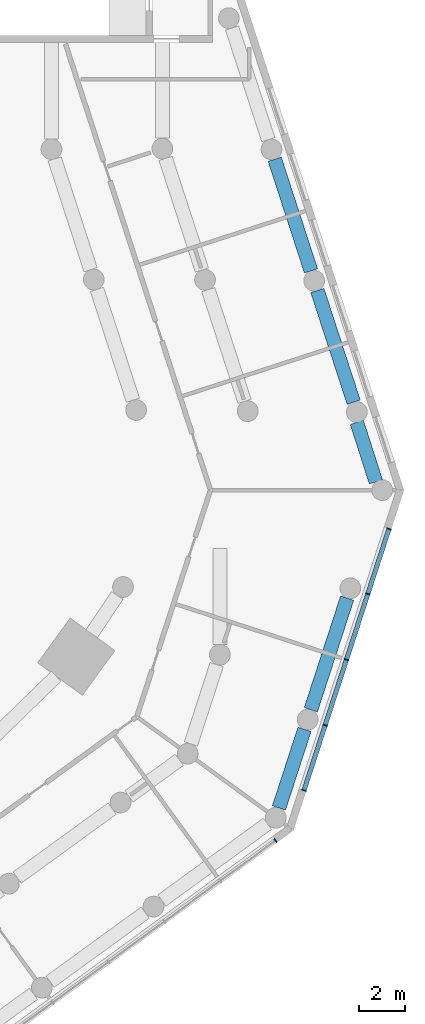
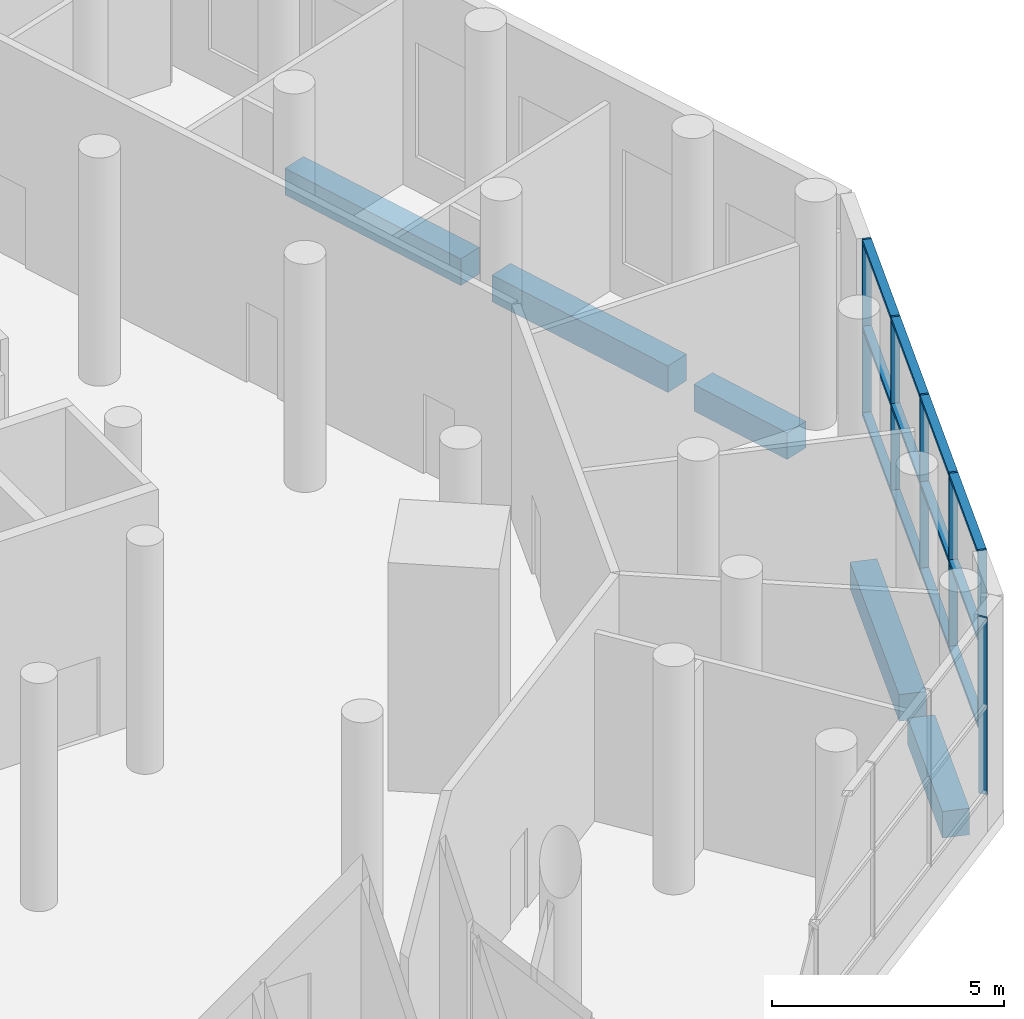
# One storey, part 7 of 19: 18 members, 5 beams, 2 elements without a shape of their own.
"""IFC4 building model written with IfcOpenShell, lengths in metres."""

from ifc_helpers import new_model, si_unit, direction, frame, origin, origin_2d, place, context, subcontext, project, spatial, rectangle, extrude, material, material_profile, profile_set, type_object, element, aggregate, save


model = new_model("IFC4")

# Units and contexts
model_context = context("Model", 3, precision=1e-05, world=origin(), true_north=direction((0.0, 1.0)))
body_context = subcontext(model_context, "Body", "Model", "MODEL_VIEW")
ifc_project = project(units=[si_unit("LENGTHUNIT", "METRE"), si_unit("AREAUNIT", "SQUARE_METRE"), si_unit("VOLUMEUNIT", "CUBIC_METRE"), si_unit("PLANEANGLEUNIT", "RADIAN"), si_unit("MASSUNIT", "GRAM", prefix="KILO")], contexts=[model_context])

# Site, building, storey
site_placement = place(None, origin())
site = spatial("IfcSite", under=ifc_project, at=site_placement, CompositionType="ELEMENT")
building_placement = place(site_placement, origin())
building = spatial("IfcBuilding", under=site, at=building_placement, Name="White Candle Pilgrim Tower", CompositionType="ELEMENT")
storey_placement = place(building_placement, frame((0.0, 0.0, 23.0)))
storey = spatial("IfcBuildingStorey", under=building, at=storey_placement, Name="L03", CompositionType="ELEMENT", Elevation=23.0)

# Curtain wall, member
ifc_material_1 = material(Name="Aluminium and glass", Category="aluminium")
curtain_wall_type = type_object("IfcCurtainWallType", Name="Curtain wall CW2 prayer hall clerestory", PredefinedType="NOTDEFINED", material=ifc_material_1)
curtain_wall_1_placement = place(storey_placement, origin())
curtain_wall_1 = element("IfcCurtainWall", 1, at=curtain_wall_1_placement, inside=storey, type_object=curtain_wall_type, Name="Curtain wall CW2 L03 SE", PredefinedType="NOTDEFINED")
ifc_material_2 = material(Name="Aluminium", Category="aluminium")
ifc_material_profile_1 = material_profile(ifc_material_2, rectangle(XDim=0.199951171875, YDim=0.050048828125, at=origin_2d()), Name="CW2 mullion 50x200")
ifc_profile_set_1 = profile_set([ifc_material_profile_1], Name="Aluminium")
member_type_1 = type_object("IfcMemberType", Name="CW2 mullion 50x200", PredefinedType="MULLION", material=ifc_profile_set_1)
member_1_placement = place(storey_placement, frame((100.23974609375, 45.3037109375, 1.0), z_axis=(0.0, 0.0, 1.0), x_axis=(-0.587785249384, 0.809016996488, 0.0)))
member_1 = element("IfcMember", 2, at=member_1_placement, type_object=member_type_1, Name="CW2 mullion 10", PredefinedType="MULLION", context=body_context, shape_type="SweptSolid", body=[
    extrude(rectangle(XDim=0.199951171875, YDim=0.050048828125, at=origin_2d()), origin(), (0.0, 0.0, 1.0), 4.64990234375),
])
aggregate(curtain_wall_1, [member_1])

# Curtain wall, members
curtain_wall_2_placement = place(storey_placement, origin())
curtain_wall_2 = element("IfcCurtainWall", 3, at=curtain_wall_2_placement, inside=storey, type_object=curtain_wall_type, Name="Curtain wall CW2 L03 E chamfer", PredefinedType="NOTDEFINED")
member_2_placement = place(storey_placement, frame((101.4775390625, 47.48974609375, 1.0), z_axis=(0.0, 0.0, 1.0), x_axis=(-0.951056514445, 0.309017000068, 0.0)))
member_2 = element("IfcMember", 4, at=member_2_placement, type_object=member_type_1, Name="CW2 mullion 1", PredefinedType="MULLION", context=body_context, shape_type="SweptSolid", body=[
    extrude(rectangle(XDim=0.199951171875, YDim=0.050048828125, at=origin_2d()), origin(), (0.0, 0.0, 1.0), 4.64990234375),
])
member_3_placement = place(storey_placement, frame((102.39697265625, 50.319091796875, 1.0), z_axis=(0.0, 0.0, 1.0), x_axis=(-0.951056514445, 0.309017000068, 0.0)))
member_3 = element("IfcMember", 5, at=member_3_placement, type_object=member_type_1, Name="CW2 mullion 2", PredefinedType="MULLION", context=body_context, shape_type="SweptSolid", body=[
    extrude(rectangle(XDim=0.199951171875, YDim=0.050048828125, at=origin_2d()), origin(), (0.0, 0.0, 1.0), 4.64990234375),
])
member_4_placement = place(storey_placement, frame((103.323974609375, 53.17236328125, 1.0), z_axis=(0.0, 0.0, 1.0), x_axis=(-0.951056514445, 0.309017000068, 0.0)))
member_4 = element("IfcMember", 6, at=member_4_placement, type_object=member_type_1, Name="CW2 mullion 3", PredefinedType="MULLION", context=body_context, shape_type="SweptSolid", body=[
    extrude(rectangle(XDim=0.199951171875, YDim=0.050048828125, at=origin_2d()), origin(), (0.0, 0.0, 1.0), 4.64990234375),
])
member_5_placement = place(storey_placement, frame((104.2509765625, 56.025634765625, 1.0), z_axis=(0.0, 0.0, 1.0), x_axis=(-0.951056514445, 0.309017000068, 0.0)))
member_5 = element("IfcMember", 7, at=member_5_placement, type_object=member_type_1, Name="CW2 mullion 4", PredefinedType="MULLION", context=body_context, shape_type="SweptSolid", body=[
    extrude(rectangle(XDim=0.199951171875, YDim=0.050048828125, at=origin_2d()), origin(), (0.0, 0.0, 1.0), 4.64990234375),
])
member_6_placement = place(storey_placement, frame((105.17041015625, 58.85498046875, 1.0), z_axis=(0.0, 0.0, 1.0), x_axis=(-0.951056514445, 0.309017000068, 0.0)))
member_6 = element("IfcMember", 8, at=member_6_placement, type_object=member_type_1, Name="CW2 mullion 5", PredefinedType="MULLION", context=body_context, shape_type="SweptSolid", body=[
    extrude(rectangle(XDim=0.199951171875, YDim=0.050048828125, at=origin_2d()), origin(), (0.0, 0.0, 1.0), 4.64990234375),
])
ifc_material_profile_2 = material_profile(ifc_material_2, rectangle(XDim=0.199951171875, YDim=0.10009765625, at=origin_2d()), Name="CW2 transom 100x200")
ifc_profile_set_2 = profile_set([ifc_material_profile_2], Name="Aluminium")
member_type_2 = type_object("IfcMemberType", Name="CW2 transom 100x200", PredefinedType="USERDEFINED", material=ifc_profile_set_2)
member_7_placement = place(storey_placement, frame((101.4853515625, 47.513671875, 1.050048828125), z_axis=(0.309006800495, 0.951059828427, 0.0), x_axis=(-0.951059828427, 0.309006800495, 0.0)))
member_7 = element("IfcMember", 9, at=member_7_placement, type_object=member_type_2, Name="CW2 transom 1.1", ObjectType="TRANSOM", PredefinedType="USERDEFINED", context=body_context, shape_type="SweptSolid", body=[
    extrude(rectangle(XDim=0.199951171875, YDim=0.10009765625, at=origin_2d()), origin(), (0.0, 0.0, 1.0), 2.9248046875),
])
member_8_placement = place(storey_placement, frame((101.4853515625, 47.513671875, 3.324951171875), z_axis=(0.309006800495, 0.951059828427, 0.0), x_axis=(-0.951059828427, 0.309006800495, 0.0)))
member_8 = element("IfcMember", 10, at=member_8_placement, type_object=member_type_2, Name="CW2 transom 1.2", ObjectType="TRANSOM", PredefinedType="USERDEFINED", context=body_context, shape_type="SweptSolid", body=[
    extrude(rectangle(XDim=0.199951171875, YDim=0.10009765625, at=origin_2d()), origin(), (0.0, 0.0, 1.0), 2.9248046875),
])
member_9_placement = place(storey_placement, frame((101.4853515625, 47.513671875, 5.60009765625), z_axis=(0.309006800495, 0.951059828427, 0.0), x_axis=(-0.951059828427, 0.309006800495, 0.0)))
member_9 = element("IfcMember", 11, at=member_9_placement, type_object=member_type_2, Name="CW2 transom 1.3", ObjectType="TRANSOM", PredefinedType="USERDEFINED", context=body_context, shape_type="SweptSolid", body=[
    extrude(rectangle(XDim=0.199951171875, YDim=0.10009765625, at=origin_2d()), origin(), (0.0, 0.0, 1.0), 2.9248046875),
])
member_10_placement = place(storey_placement, frame((102.40478515625, 50.343017578125, 1.050048828125), z_axis=(0.308943846708, 0.951080280303, 0.0), x_axis=(-0.951080280303, 0.308943846708, 0.0)))
member_10 = element("IfcMember", 12, at=member_10_placement, type_object=member_type_2, Name="CW2 transom 2.1", ObjectType="TRANSOM", PredefinedType="USERDEFINED", context=body_context, shape_type="SweptSolid", body=[
    extrude(rectangle(XDim=0.199951171875, YDim=0.10009765625, at=origin_2d()), origin(), (0.0, 0.0, 1.0), 2.949951171875),
])
member_11_placement = place(storey_placement, frame((102.40478515625, 50.343017578125, 3.324951171875), z_axis=(0.308943846708, 0.951080280303, 0.0), x_axis=(-0.951080280303, 0.308943846708, 0.0)))
member_11 = element("IfcMember", 13, at=member_11_placement, type_object=member_type_2, Name="CW2 transom 2.2", ObjectType="TRANSOM", PredefinedType="USERDEFINED", context=body_context, shape_type="SweptSolid", body=[
    extrude(rectangle(XDim=0.199951171875, YDim=0.10009765625, at=origin_2d()), origin(), (0.0, 0.0, 1.0), 2.949951171875),
])
member_12_placement = place(storey_placement, frame((102.40478515625, 50.343017578125, 5.60009765625), z_axis=(0.308943846708, 0.951080280303, 0.0), x_axis=(-0.951080280303, 0.308943846708, 0.0)))
member_12 = element("IfcMember", 14, at=member_12_placement, type_object=member_type_2, Name="CW2 transom 2.3", ObjectType="TRANSOM", PredefinedType="USERDEFINED", context=body_context, shape_type="SweptSolid", body=[
    extrude(rectangle(XDim=0.199951171875, YDim=0.10009765625, at=origin_2d()), origin(), (0.0, 0.0, 1.0), 2.949951171875),
])
member_13_placement = place(storey_placement, frame((103.331787109375, 53.196044921875, 1.050048828125), z_axis=(0.309018704887, 0.951055960514, 0.0), x_axis=(-0.951055960514, 0.309018704887, 0.0)))
member_13 = element("IfcMember", 15, at=member_13_placement, type_object=member_type_2, Name="CW2 transom 3.1", ObjectType="TRANSOM", PredefinedType="USERDEFINED", context=body_context, shape_type="SweptSolid", body=[
    extrude(rectangle(XDim=0.199951171875, YDim=0.10009765625, at=origin_2d()), origin(), (0.0, 0.0, 1.0), 2.949951171875),
])
member_14_placement = place(storey_placement, frame((103.331787109375, 53.196044921875, 3.324951171875), z_axis=(0.309018704887, 0.951055960514, 0.0), x_axis=(-0.951055960514, 0.309018704887, 0.0)))
member_14 = element("IfcMember", 16, at=member_14_placement, type_object=member_type_2, Name="CW2 transom 3.2", ObjectType="TRANSOM", PredefinedType="USERDEFINED", context=body_context, shape_type="SweptSolid", body=[
    extrude(rectangle(XDim=0.199951171875, YDim=0.10009765625, at=origin_2d()), origin(), (0.0, 0.0, 1.0), 2.949951171875),
])
member_15_placement = place(storey_placement, frame((103.331787109375, 53.196044921875, 5.60009765625), z_axis=(0.309018704887, 0.951055960514, 0.0), x_axis=(-0.951055960514, 0.309018704887, 0.0)))
member_15 = element("IfcMember", 17, at=member_15_placement, type_object=member_type_2, Name="CW2 transom 3.3", ObjectType="TRANSOM", PredefinedType="USERDEFINED", context=body_context, shape_type="SweptSolid", body=[
    extrude(rectangle(XDim=0.199951171875, YDim=0.10009765625, at=origin_2d()), origin(), (0.0, 0.0, 1.0), 2.949951171875),
])
member_16_placement = place(storey_placement, frame((104.2587890625, 56.04931640625, 1.050048828125), z_axis=(0.309006800495, 0.951059828427, 0.0), x_axis=(-0.951059828427, 0.309006800495, 0.0)))
member_16 = element("IfcMember", 18, at=member_16_placement, type_object=member_type_2, Name="CW2 transom 4.1", ObjectType="TRANSOM", PredefinedType="USERDEFINED", context=body_context, shape_type="SweptSolid", body=[
    extrude(rectangle(XDim=0.199951171875, YDim=0.10009765625, at=origin_2d()), origin(), (0.0, 0.0, 1.0), 2.9248046875),
])
member_17_placement = place(storey_placement, frame((104.2587890625, 56.04931640625, 3.324951171875), z_axis=(0.309006800495, 0.951059828427, 0.0), x_axis=(-0.951059828427, 0.309006800495, 0.0)))
member_17 = element("IfcMember", 19, at=member_17_placement, type_object=member_type_2, Name="CW2 transom 4.2", ObjectType="TRANSOM", PredefinedType="USERDEFINED", context=body_context, shape_type="SweptSolid", body=[
    extrude(rectangle(XDim=0.199951171875, YDim=0.10009765625, at=origin_2d()), origin(), (0.0, 0.0, 1.0), 2.9248046875),
])
member_18_placement = place(storey_placement, frame((104.2587890625, 56.04931640625, 5.60009765625), z_axis=(0.309006800495, 0.951059828427, 0.0), x_axis=(-0.951059828427, 0.309006800495, 0.0)))
member_18 = element("IfcMember", 20, at=member_18_placement, type_object=member_type_2, Name="CW2 transom 4.3", ObjectType="TRANSOM", PredefinedType="USERDEFINED", context=body_context, shape_type="SweptSolid", body=[
    extrude(rectangle(XDim=0.199951171875, YDim=0.10009765625, at=origin_2d()), origin(), (0.0, 0.0, 1.0), 2.9248046875),
])
aggregate(curtain_wall_2, [member_2, member_3, member_4, member_5, member_6, member_7, member_8, member_9, member_10, member_11, member_12, member_13, member_14, member_15, member_16, member_17, member_18])

# Beams
ifc_material_3 = material(Name="Concrete C50/60", Category="concrete")
ifc_material_profile_3 = material_profile(ifc_material_3, rectangle(XDim=0.60009765625, YDim=0.699951171875, at=origin_2d()), Name="RC-BM 600x700")
ifc_profile_set_3 = profile_set([ifc_material_profile_3], Name="Concrete C50/60")
beam_type = type_object("IfcBeamType", Name="Spandrel beam RC-BM 600x700 C50/60", PredefinedType="BEAM", material=ifc_profile_set_3)
beam_1_placement = place(storey_placement, frame((100.388916015625, 46.727783203125, -0.699951171875), z_axis=(0.309029111375, 0.951052579158, 0.0), x_axis=(-0.951052579158, 0.309029111375, 0.0)))
element("IfcBeam", 21, at=beam_1_placement, inside=storey, type_object=beam_type, Name="L03 spandrel beam B16", PredefinedType="BEAM", context=body_context, shape_type="SweptSolid", body=[
    extrude(rectangle(XDim=0.60009765625, YDim=0.699951171875, at=origin_2d()), origin(), (0.0, 0.0, 1.0), 3.5859375),
])
beam_2_placement = place(storey_placement, frame((101.77490234375, 50.993896484375, -0.699951171875), z_axis=(0.308996245399, 0.951063257796, 0.0), x_axis=(-0.951063257796, 0.308996245399, 0.0)))
element("IfcBeam", 22, at=beam_2_placement, inside=storey, type_object=beam_type, Name="L03 spandrel beam B17", PredefinedType="BEAM", context=body_context, shape_type="SweptSolid", body=[
    extrude(rectangle(XDim=0.60009765625, YDim=0.699951171875, at=origin_2d()), origin(), (0.0, 0.0, 1.0), 5.100830078125),
])
beam_3_placement = place(storey_placement, frame((103.77392578125, 63.48291015625, -0.699951171875), z_axis=(0.304880087656, -0.952390745519, 0.0), x_axis=(0.952390745519, 0.304880087656, 0.0)))
element("IfcBeam", 23, at=beam_3_placement, inside=storey, type_object=beam_type, Name="L03 spandrel beam B18", PredefinedType="BEAM", context=body_context, shape_type="SweptSolid", body=[
    extrude(rectangle(XDim=0.60009765625, YDim=0.699951171875, at=origin_2d()), origin(), (0.0, 0.0, 1.0), 2.71630859375),
])
beam_4_placement = place(storey_placement, frame((103.635009765625, 64.36083984375, -0.699951171875), z_axis=(-0.309126113006, 0.951021054582, 0.0), x_axis=(-0.951021054582, -0.309126113006, 0.0)))
element("IfcBeam", 24, at=beam_4_placement, inside=storey, type_object=beam_type, Name="L03 spandrel beam B19", PredefinedType="BEAM", context=body_context, shape_type="SweptSolid", body=[
    extrude(rectangle(XDim=0.60009765625, YDim=0.699951171875, at=origin_2d()), origin(), (0.0, 0.0, 1.0), 5.10107421875),
])
beam_5_placement = place(storey_placement, frame((101.780029296875, 70.06787109375, -0.699951171875), z_axis=(-0.309009217467, 0.951059043131, 0.0), x_axis=(-0.951059043131, -0.309009217467, 0.0)))
element("IfcBeam", 25, at=beam_5_placement, inside=storey, type_object=beam_type, Name="L03 spandrel beam B20", PredefinedType="BEAM", context=body_context, shape_type="SweptSolid", body=[
    extrude(rectangle(XDim=0.60009765625, YDim=0.699951171875, at=origin_2d()), origin(), (0.0, 0.0, 1.0), 5.099853515625),
])

save(model, "model.ifc")
